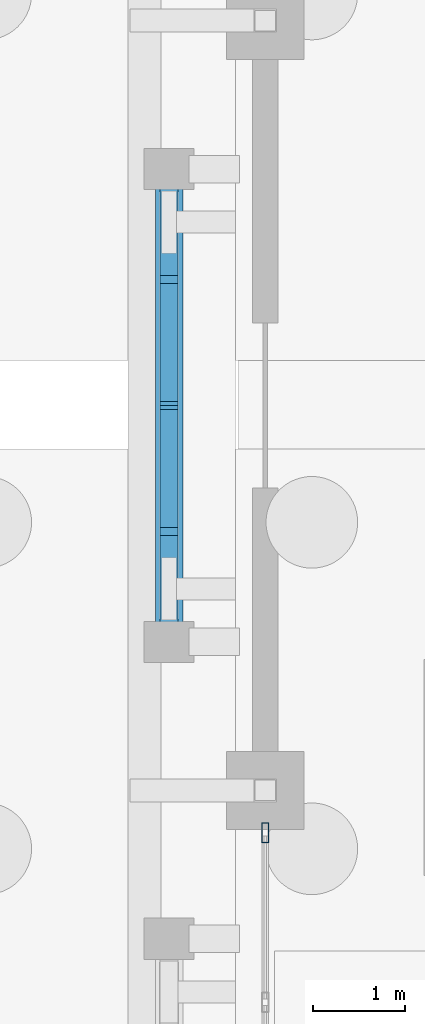
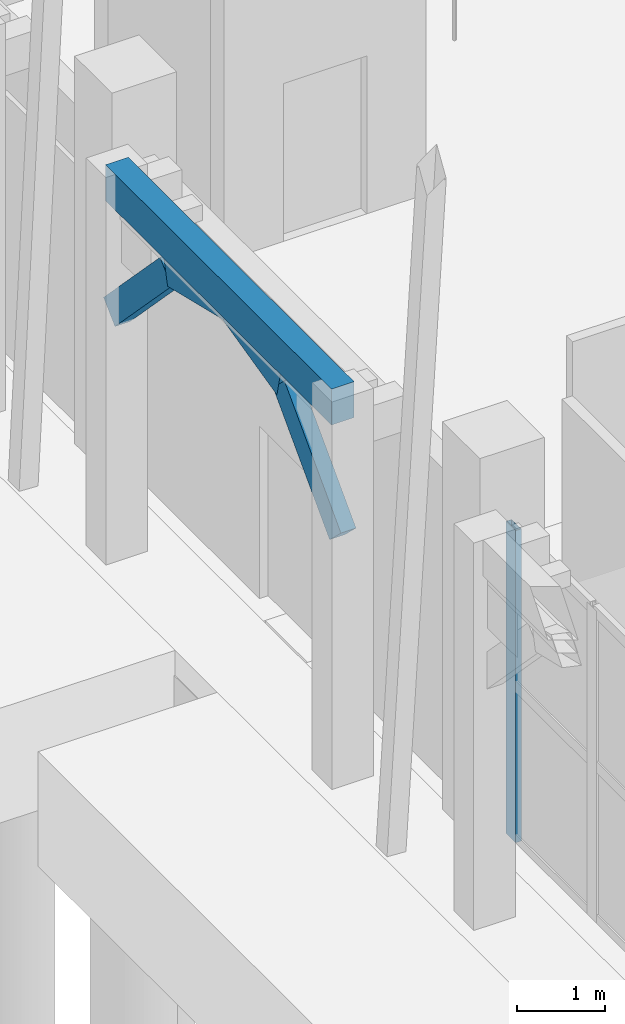
# One storey, part 29 of 98: 5 members, 1 beam, 1 element without a shape of its own.
"""IFC4 building model written with IfcOpenShell, lengths in metres."""

import ifcopenshell
import ifcopenshell.guid

model = None  # the IFC model being written
_history = None  # IfcOwnerHistory: only IFC2X3 demands one
_inside = {}  # id of a spatial element -> (the spatial element, [elements in it])
_under = {}  # id of a project, library or spatial element -> (it, [spatial elements below it])
_declared = {}  # id of a project -> (the project, [libraries it declares])
_typed = {}  # id of a type object -> (the type object, [elements of that type])
_made_of = {}  # id of a material, layer set ... -> (it, [elements and type objects made of it])


def new_model(schema):
    """Start an empty IFC model of exactly this schema.

    Asked for "IFC4X3", IfcOpenShell would pick the latest addendum, in which some entities
    have other attributes; the version numbers below select the first issue.
    IFC2X3 requires an IfcOwnerHistory on every rooted entity: one is made here for all.
    """
    global model, _history
    if schema == "IFC4X3":
        model = ifcopenshell.file(schema_version=(4, 3, 0, 0))
    else:
        model = ifcopenshell.file(schema=schema)
    _inside.clear()
    _under.clear()
    _declared.clear()
    _typed.clear()
    _made_of.clear()
    _history = None
    if model.schema == "IFC2X3":
        org = make("IfcOrganization", Name="unknown")
        user = make(
            "IfcPersonAndOrganization",
            ThePerson=make("IfcPerson", FamilyName="unknown"),
            TheOrganization=org,
        )
        app = make(
            "IfcApplication",
            ApplicationDeveloper=org,
            Version="unknown",
            ApplicationFullName="unknown",
            ApplicationIdentifier="unknown",
        )
        _history = make(
            "IfcOwnerHistory",
            OwningUser=user,
            OwningApplication=app,
            ChangeAction="ADDED",
            CreationDate=0,
        )
    return model


def make(cls, **values):
    """One entity of the class cls with the attributes given. An attribute that is None is left unset."""
    return model.create_entity(
        cls, **{name: value for name, value in values.items() if value is not None}
    )


def rooted(cls, **values):
    """An entity with a GlobalId (a new one), such as an element, a storey or a relation."""
    return make(cls, GlobalId=ifcopenshell.guid.new(), OwnerHistory=_history, **values)


def si_unit(unit_type, name, prefix=None):
    """IfcSIUnit, for example si_unit("LENGTHUNIT", "METRE", prefix="MILLI")."""
    return make("IfcSIUnit", UnitType=unit_type, Prefix=prefix, Name=name)


def assignment(units):
    """IfcUnitAssignment: the units of a project."""
    return None if units is None else make("IfcUnitAssignment", Units=units)


def point(xyz):
    """IfcCartesianPoint."""
    return None if xyz is None else make("IfcCartesianPoint", Coordinates=xyz)


def direction(xyz):
    """IfcDirection."""
    return None if xyz is None else make("IfcDirection", DirectionRatios=xyz)


def frame(location, z_axis=None, x_axis=None):
    """IfcAxis2Placement3D, a coordinate frame: its origin and axes. An axis left out is left unset."""
    return make(
        "IfcAxis2Placement3D",
        Location=point(location),
        Axis=direction(z_axis),
        RefDirection=direction(x_axis),
    )


def frame_2d(location, x_axis=None):
    """IfcAxis2Placement2D, a coordinate frame in the plane: its origin and x axis."""
    return make(
        "IfcAxis2Placement2D", Location=point(location), RefDirection=direction(x_axis)
    )


def origin():
    """The frame at (0, 0, 0) with its axes left unset."""
    return frame((0.0, 0.0, 0.0))


def origin_2d():
    """The frame at (0, 0) in the plane with its x axis left unset."""
    return frame_2d((0.0, 0.0))


def place(relative_to, where):
    """IfcLocalPlacement: puts the frame where relative to a parent placement (None: the world)."""
    return make(
        "IfcLocalPlacement", PlacementRelTo=relative_to, RelativePlacement=where
    )


def context(
    kind, dimensions, precision=None, world=None, true_north=None, identifier=None
):
    """IfcGeometricRepresentationContext, for example the 3D "Model" context."""
    return make(
        "IfcGeometricRepresentationContext",
        ContextIdentifier=identifier,
        ContextType=kind,
        CoordinateSpaceDimension=dimensions,
        Precision=precision,
        WorldCoordinateSystem=world,
        TrueNorth=true_north,
    )


def subcontext(parent, identifier, kind, view, scale=None):
    """IfcGeometricRepresentationSubContext, for example "Body" below "Model"."""
    return make(
        "IfcGeometricRepresentationSubContext",
        ContextIdentifier=identifier,
        ContextType=kind,
        ParentContext=parent,
        TargetScale=scale,
        TargetView=view,
    )


def project(units=None, contexts=None):
    """IfcProject with its units and contexts."""
    return rooted(
        "IfcProject",
        Name="project",
        RepresentationContexts=contexts,
        UnitsInContext=assignment(units),
    )


def spatial(cls, under=None, at=None, **own):
    """A site, building, storey or space (cls), placed at a placement, below another one or the project."""
    s = rooted(cls, ObjectPlacement=at, **own)
    if under is not None:
        _under.setdefault(under.id(), (under, []))[1].append(s)
    return s


def profile(cls, at=None, kind="AREA", **sizes):
    """A parametric profile (cls). Its sizes go by their IFC names, for example OverallWidth=200.0."""
    return make(cls, ProfileType=kind, Position=at, **sizes)


def rectangle(**sizes):
    """IfcRectangleProfileDef."""
    return profile("IfcRectangleProfileDef", **sizes)


def hollow_rectangle(**sizes):
    """IfcRectangleHollowProfileDef."""
    return profile("IfcRectangleHollowProfileDef", **sizes)


def extrude(swept, where, along, depth):
    """IfcExtrudedAreaSolid: the profile swept, set in the frame where, extruded along a direction by depth."""
    return make(
        "IfcExtrudedAreaSolid",
        SweptArea=swept,
        Position=where,
        ExtrudedDirection=direction(along),
        Depth=depth,
    )


def shape(context_of_items, identifier, shape_type, items):
    """IfcShapeRepresentation: the items that make up one representation, for example the "Body"."""
    return make(
        "IfcShapeRepresentation",
        ContextOfItems=context_of_items,
        RepresentationIdentifier=identifier,
        RepresentationType=shape_type,
        Items=items,
    )


def material(Name=None, Category=None):
    """IfcMaterial."""
    return make("IfcMaterial", Name=Name, Category=Category)


def layer(
    of_material, thickness, ventilated=None, Name=None, Category=None, Priority=None
):
    """IfcMaterialLayer: one layer of a wall or slab, of a material (None: an air gap)."""
    return make(
        "IfcMaterialLayer",
        Material=of_material,
        LayerThickness=thickness,
        IsVentilated=ventilated,
        Name=Name,
        Category=Category,
        Priority=Priority,
    )


def layer_set(layers, Name=None):
    """IfcMaterialLayerSet."""
    return make("IfcMaterialLayerSet", MaterialLayers=layers, LayerSetName=Name)


def material_profile(
    of_material, cross_section, Name=None, Category=None, Priority=None
):
    """IfcMaterialProfile: a cross section and its material."""
    return make(
        "IfcMaterialProfile",
        Name=Name,
        Material=of_material,
        Profile=cross_section,
        Priority=Priority,
        Category=Category,
    )


def profile_set(profiles, Name=None, composite=None):
    """IfcMaterialProfileSet."""
    return make(
        "IfcMaterialProfileSet",
        Name=Name,
        MaterialProfiles=profiles,
        CompositeProfile=composite,
    )


def made_of(thing, what):
    """Note that an element or type object is made of a material, layer set ...; save() writes the relation."""
    if what is not None:
        _made_of.setdefault(what.id(), (what, []))[1].append(thing)
    return thing


def type_object(cls, material=None, **own):
    """A type object (cls), such as IfcWallType, which elements share."""
    return made_of(rooted(cls, **own), material)


def element(
    cls,
    number,
    at=None,
    inside=None,
    cuts=None,
    type_object=None,
    material=None,
    context=None,
    identifier="Body",
    shape_type=None,
    held_by="IfcProductDefinitionShape",
    body=None,
    shapes=None,
    **own,
):
    """One element of the class cls, such as IfcWall. Its Tag is "e" and its number.

    at: its placement. inside: the storey or other place that contains it. cuts: it is an
    opening in that element (IfcRelVoidsElement). A single representation is given by context,
    identifier, shape_type and body (its items); several are given by shapes. held_by: the class
    of the entity that holds the representations. save() writes the other relations.
    """
    e = rooted(cls, Tag="e%d" % number, ObjectPlacement=at, **own)
    if body is not None:
        shapes = [shape(context, identifier, shape_type, body)]
    if shapes is not None:
        e.Representation = make(held_by, Representations=shapes)
    if inside is not None:
        _inside.setdefault(inside.id(), (inside, []))[1].append(e)
    if cuts is not None:
        rooted(
            "IfcRelVoidsElement", RelatingBuildingElement=cuts, RelatedOpeningElement=e
        )
    if type_object is not None:
        _typed.setdefault(type_object.id(), (type_object, []))[1].append(e)
    return made_of(e, material)


def aggregate(whole, parts):
    """IfcRelAggregates: a whole, such as a stair, and the parts it consists of."""
    return rooted("IfcRelAggregates", RelatingObject=whole, RelatedObjects=parts)


def save(model, path):
    """Write the relations noted so far, then the file.

    IfcRelAggregates (storeys below a building ...), IfcRelContainedInSpatialStructure (elements
    in a storey), IfcRelDefinesByType, IfcRelAssociatesMaterial and IfcRelDeclares: one each for
    every whole, place, type object, material and project.
    """
    for whole, parts in _under.values():
        aggregate(whole, parts)
    for where, things in _inside.values():
        rooted(
            "IfcRelContainedInSpatialStructure",
            RelatedElements=things,
            RelatingStructure=where,
        )
    for kind, things in _typed.values():
        rooted("IfcRelDefinesByType", RelatedObjects=things, RelatingType=kind)
    for what, things in _made_of.values():
        rooted("IfcRelAssociatesMaterial", RelatedObjects=things, RelatingMaterial=what)
    for by, libraries in _declared.values():
        rooted("IfcRelDeclares", RelatingContext=by, RelatedDefinitions=libraries)
    model.write(path)


model = new_model("IFC4")

# Units and contexts
model_context = context("Model", 3, precision=1e-05, world=origin(), true_north=direction((0.0, 1.0)))
body_context = subcontext(model_context, "Body", "Model", "MODEL_VIEW")
ifc_project = project(units=[si_unit("LENGTHUNIT", "METRE"), si_unit("AREAUNIT", "SQUARE_METRE"), si_unit("VOLUMEUNIT", "CUBIC_METRE"), si_unit("PLANEANGLEUNIT", "RADIAN"), si_unit("MASSUNIT", "GRAM", prefix="KILO")], contexts=[model_context])

# Site, building, storey
site_placement = place(None, origin())
site = spatial("IfcSite", under=ifc_project, at=site_placement, CompositionType="ELEMENT")
building_placement = place(site_placement, origin())
building = spatial("IfcBuilding", under=site, at=building_placement, Name="Xazarin Passage Department Store", CompositionType="ELEMENT")
storey_placement = place(building_placement, origin())
storey = spatial("IfcBuildingStorey", under=building, at=storey_placement, Name="L00", CompositionType="ELEMENT", Elevation=0.0)

# Curtain wall, member
ifc_material_1 = material(Name="Bronze anodised aluminium", Category="aluminium")
ifc_layer = layer(ifc_material_1, 0.179931640625)
ifc_layer_set = layer_set([ifc_layer], Name="Bronze anodised aluminium")
curtain_wall_type = type_object("IfcCurtainWallType", Name="ARC-CW-VIT1", PredefinedType="NOTDEFINED", material=ifc_layer_set)
curtain_wall_placement = place(storey_placement, origin())
curtain_wall = element("IfcCurtainWall", 1, at=curtain_wall_placement, inside=storey, type_object=curtain_wall_type, Name="L00 V1 Curtain Wall 005", PredefinedType="NOTDEFINED")
ifc_material_profile_1 = material_profile(ifc_material_1, hollow_rectangle(XDim=0.074951171875, YDim=0.219970703125, WallThickness=0.0048828125, at=origin_2d()), Name="ALU 75x220")
ifc_profile_set_1 = profile_set([ifc_material_profile_1], Name="Bronze anodised aluminium")
member_type_1 = type_object("IfcMemberType", Name="ARC-CWM-75x220", PredefinedType="MULLION", material=ifc_profile_set_1)
member_1_placement = place(storey_placement, frame((0.0, 84.33740234375, 0.0), z_axis=(0.0, 0.0, 1.0), x_axis=(-1.0, 0.0, 0.0)))
member_1 = element("IfcMember", 2, at=member_1_placement, type_object=member_type_1, Name="CW1 mullion 5", PredefinedType="MULLION", context=body_context, shape_type="SweptSolid", body=[
    extrude(hollow_rectangle(XDim=0.074951171875, YDim=0.219970703125, WallThickness=0.0048828125, at=origin_2d()), origin(), (0.0, 0.0, 1.0), 4.35009765625),
])
aggregate(curtain_wall, [member_1])

# Beam
ifc_material_2 = material(Name="Concrete C35/45", Category="concrete")
ifc_material_profile_2 = material_profile(ifc_material_2, rectangle(XDim=0.300048828125, YDim=0.5, at=origin_2d()), Name="RC 300x500")
ifc_profile_set_2 = profile_set([ifc_material_profile_2], Name="Concrete C35/45")
beam_type = type_object("IfcBeamType", Name="STR-BM-LN300x500", PredefinedType="LINTEL", material=ifc_profile_set_2)
beam_placement = place(storey_placement, frame((-1.050048828125, 86.419921875, 5.14990234375), z_axis=(0.0, 1.0, 0.0), x_axis=(-1.0, 0.0, 0.0)))
element("IfcBeam", 3, at=beam_placement, inside=storey, type_object=beam_type, Name="L00 V1 Colonnade Spandrel Beam 012", PredefinedType="LINTEL", context=body_context, shape_type="SweptSolid", body=[
    extrude(rectangle(XDim=0.300048828125, YDim=0.5, at=origin_2d()), origin(), (0.0, 0.0, 1.0), 5.16015625),
])

# Members
ifc_material_3 = material(Name="Concrete C40/50", Category="concrete")
ifc_material_profile_3 = material_profile(ifc_material_3, rectangle(XDim=0.199951171875, YDim=0.360107421875, at=origin_2d()), Name="RC 200x360")
ifc_profile_set_3 = profile_set([ifc_material_profile_3], Name="Concrete C40/50")
member_type_2 = type_object("IfcMemberType", Name="STR-MEM-ARC360", PredefinedType="CHORD", material=ifc_profile_set_3)
member_2_placement = place(storey_placement, frame((-1.050048828125, 86.419921875, 3.330078125), z_axis=(0.0, 0.693460080602, 0.720495049679), x_axis=(-1.0, 0.0, 0.0)))
element("IfcMember", 4, at=member_2_placement, inside=storey, type_object=member_type_2, Name="L00 V1 Pierced Lattice Curved Arch 012.1", PredefinedType="CHORD", context=body_context, shape_type="SweptSolid", body=[
    extrude(rectangle(XDim=0.199951171875, YDim=0.360107421875, at=origin_2d()), origin(), (0.0, 0.0, 1.0), 1.8603515625),
])
for number, where, z_axis, x_axis, name in (
    (5, (-1.050048828125, 87.7099609375, 4.67041015625), (0.0, 0.972393983317, 0.233345111818), (-1.0, 0.0, 0.0), "L00 V1 Pierced Lattice Curved Arch 012.2"),
    (6, (-1.050048828125, 89.0, 4.97998046875), (0.0, 0.972393983317, -0.233345111818), (-1.0, 0.0, 0.0), "L00 V1 Pierced Lattice Curved Arch 012.3"),
):
    element("IfcMember", number, at=place(storey_placement, frame(where, z_axis=z_axis, x_axis=x_axis)), inside=storey, type_object=member_type_2, Name=name, PredefinedType="CHORD", context=body_context, shape_type="SweptSolid", body=[
        extrude(rectangle(XDim=0.199951171875, YDim=0.360107421875, at=origin_2d()), origin(), (0.0, 0.0, 1.0), 1.32666015625),
    ])
member_3_placement = place(storey_placement, frame((-1.050048828125, 90.2900390625, 4.67041015625), z_axis=(0.0, 0.693460080602, -0.720495049679), x_axis=(-1.0, 0.0, 0.0)))
element("IfcMember", 7, at=member_3_placement, inside=storey, type_object=member_type_2, Name="L00 V1 Pierced Lattice Curved Arch 012.4", PredefinedType="CHORD", context=body_context, shape_type="SweptSolid", body=[
    extrude(rectangle(XDim=0.199951171875, YDim=0.360107421875, at=origin_2d()), origin(), (0.0, 0.0, 1.0), 1.8603515625),
])

save(model, "model.ifc")
